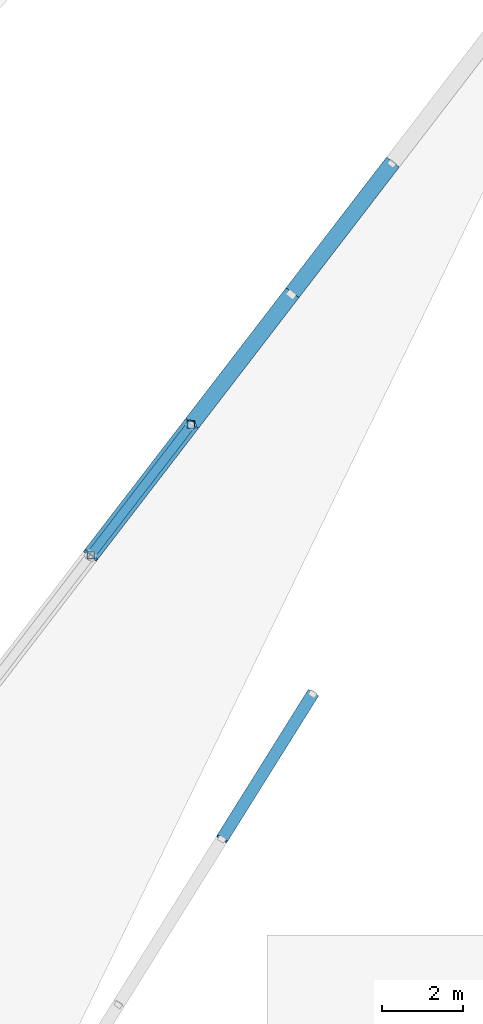
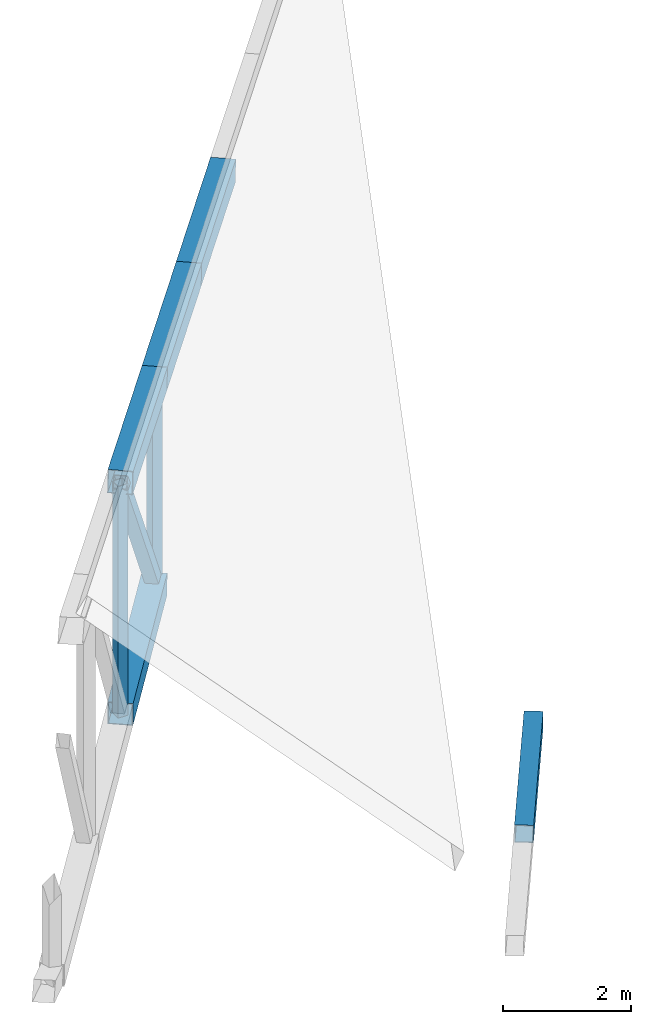
# One storey, part 7 of 188: 8 members.
"""IFC4 building model written with IfcOpenShell, lengths in metres."""

from ifc_helpers import new_model, si_unit, direction, frame, origin, origin_2d, place, context, subcontext, project, spatial, hollow_rectangle, extrude, material, material_profile, profile_set, type_object, element, save


model = new_model("IFC4")

# Units and contexts
model_context = context("Model", 3, precision=1e-05, world=origin(), true_north=direction((0.0, 1.0)))
body_context = subcontext(model_context, "Body", "Model", "MODEL_VIEW")
ifc_project = project(units=[si_unit("LENGTHUNIT", "METRE"), si_unit("AREAUNIT", "SQUARE_METRE"), si_unit("VOLUMEUNIT", "CUBIC_METRE"), si_unit("PLANEANGLEUNIT", "RADIAN"), si_unit("MASSUNIT", "GRAM", prefix="KILO")], contexts=[model_context])

# Site, building, storey
site_placement = place(None, origin())
site = spatial("IfcSite", under=ifc_project, at=site_placement, CompositionType="ELEMENT")
building_placement = place(site_placement, origin())
building = spatial("IfcBuilding", under=site, at=building_placement, Name="Meseta Stadium", CompositionType="ELEMENT")
storey_placement = place(building_placement, frame((0.0, 0.0, 30.0)))
storey = spatial("IfcBuildingStorey", under=building, at=storey_placement, Name="ROOF", CompositionType="ELEMENT", Elevation=30.0)

# Members
ifc_material_1 = material(Name="Steel S355", Category="steel")
ifc_material_profile_1 = material_profile(ifc_material_1, hollow_rectangle(XDim=0.179931640625, YDim=0.179931640625, WallThickness=0.00634765625, at=origin_2d()), Name="SHS 180x180x6.3")
ifc_profile_set_1 = profile_set([ifc_material_profile_1], Name="Steel S355")
member_type_1 = type_object("IfcMemberType", Name="SHS 180x180x6.3 post", PredefinedType="POST", material=ifc_profile_set_1)
member_1_placement = place(storey_placement, frame((-47.097900390625, -79.92236328125, 0.650634765625), z_axis=(0.0, 0.0, 1.0), x_axis=(1.0, 0.0, 0.0)))
element("IfcMember", 1, at=member_1_placement, inside=storey, type_object=member_type_1, Name="ROOF TRUSS RT-42 post", PredefinedType="POST", context=body_context, shape_type="SweptSolid", body=[
    extrude(hollow_rectangle(XDim=0.179931640625, YDim=0.179931640625, WallThickness=0.00634765625, at=origin_2d()), origin(), (0.0, 0.0, 1.0), 3.90869140625),
])
member_2_placement = place(storey_placement, frame((-49.572998046875, -83.141357421875, 0.985107421875), z_axis=(0.0, 0.0, 1.0), x_axis=(1.0, 0.0, 0.0)))
element("IfcMember", 2, at=member_2_placement, inside=storey, type_object=member_type_1, Name="ROOF TRUSS RT-42 post", PredefinedType="POST", context=body_context, shape_type="SweptSolid", body=[
    extrude(hollow_rectangle(XDim=0.179931640625, YDim=0.179931640625, WallThickness=0.00634765625, at=origin_2d()), origin(), (0.0, 0.0, 1.0), 4.410400390625),
])
ifc_material_2 = material(Name="Steel S355", Category="steel")
ifc_material_profile_2 = material_profile(ifc_material_2, hollow_rectangle(XDim=0.219970703125, YDim=0.219970703125, WallThickness=0.008056640625, at=origin_2d()), Name="SHS 220x220x8")
ifc_profile_set_2 = profile_set([ifc_material_profile_2], Name="Steel S355")
member_type_2 = type_object("IfcMemberType", Name="SHS 220x220x8 diagonal", PredefinedType="BRACE", material=ifc_profile_set_2)
member_3_placement = place(storey_placement, frame((-47.097900390625, -79.92236328125, 0.650634765625), z_axis=(-0.396323408579, -0.515439351165, 0.759769722404), x_axis=(0.792749139849, -0.609548030321, 0.0)))
element("IfcMember", 3, at=member_3_placement, inside=storey, type_object=member_type_2, Name="ROOF TRUSS RT-42 diagonal", PredefinedType="BRACE", context=body_context, shape_type="SweptSolid", body=[
    extrude(hollow_rectangle(XDim=0.219970703125, YDim=0.219970703125, WallThickness=0.008056640625, at=origin_2d()), origin(), (0.0, 0.0, 1.0), 6.2451171875),
])
ifc_material_3 = material(Name="Steel S355", Category="steel")
ifc_material_profile_3 = material_profile(ifc_material_3, hollow_rectangle(XDim=0.300048828125, YDim=0.300048828125, WallThickness=0.010009765625, at=origin_2d()), Name="SHS 300x300x10")
ifc_profile_set_3 = profile_set([ifc_material_profile_3], Name="Steel S355")
member_type_3 = type_object("IfcMemberType", Name="SHS 300x300x10 top chord", PredefinedType="CHORD", material=ifc_profile_set_3)
member_4_placement = place(storey_placement, frame((-44.09716796875, -86.551025390625, 1.01953125), z_axis=(-0.521450818859, -0.833729205304, 0.181616782636), x_axis=(0.847829126423, -0.53026952806, 0.0)))
element("IfcMember", 4, at=member_4_placement, inside=storey, type_object=member_type_3, Name="ROOF TRUSS RT-43 top chord", PredefinedType="CHORD", context=body_context, shape_type="SweptSolid", body=[
    extrude(hollow_rectangle(XDim=0.300048828125, YDim=0.300048828125, WallThickness=0.010009765625, at=origin_2d()), origin(), (0.0, 0.0, 1.0), 4.2880859375),
])
ifc_material_4 = material(Name="Steel S355", Category="steel")
ifc_material_profile_4 = material_profile(ifc_material_4, hollow_rectangle(XDim=0.39990234375, YDim=0.39990234375, WallThickness=0.010009765625, at=origin_2d()), Name="SHS 400x400x10")
ifc_profile_set_4 = profile_set([ifc_material_profile_4], Name="Steel S355")
member_type_4 = type_object("IfcMemberType", Name="SHS 400x400x10 top chord", PredefinedType="CHORD", material=ifc_profile_set_4)
for number, where, z_axis, x_axis, name in (
    (5, (-42.147705078125, -73.484375, 2.886962890625), (-0.597020682494, -0.776456667852, 0.201696176518), (0.792749139849, -0.609548030321, 0.0), "ROOF TRUSS RT-42 top chord"),
    (6, (-44.622802734375, -76.703369140625, 3.72314453125), (-0.597020682494, -0.776456667852, 0.201696176518), (0.792749139849, -0.609548030321, 0.0), "ROOF TRUSS RT-42 top chord"),
    (7, (-47.097900390625, -79.92236328125, 4.559326171875), (-0.597020682494, -0.776456667852, 0.201696176518), (0.792749139849, -0.609548030321, 0.0), "ROOF TRUSS RT-42 top chord"),
):
    element("IfcMember", number, at=place(storey_placement, frame(where, z_axis=z_axis, x_axis=x_axis)), inside=storey, type_object=member_type_4, Name=name, PredefinedType="CHORD", context=body_context, shape_type="SweptSolid", body=[
        extrude(hollow_rectangle(XDim=0.39990234375, YDim=0.39990234375, WallThickness=0.010009765625, at=origin_2d()), origin(), (0.0, 0.0, 1.0), 4.145751953125),
    ])
ifc_material_5 = material(Name="Steel S355", Category="steel")
ifc_material_profile_5 = material_profile(ifc_material_5, hollow_rectangle(XDim=0.39990234375, YDim=0.39990234375, WallThickness=0.01416015625, at=origin_2d()), Name="SHS 400x400x14.2")
ifc_profile_set_5 = profile_set([ifc_material_profile_5], Name="Steel S355")
member_type_5 = type_object("IfcMemberType", Name="SHS 400x400x14.2 bottom chord", PredefinedType="CHORD", material=ifc_profile_set_5)
member_5_placement = place(storey_placement, frame((-47.097900390625, -79.92236328125, 0.650634765625), z_axis=(-0.607490590337, -0.790073331386, 0.082093323019), x_axis=(0.792749139849, -0.609548030321, 0.0)))
element("IfcMember", 8, at=member_5_placement, inside=storey, type_object=member_type_5, Name="ROOF TRUSS RT-42 bottom chord", PredefinedType="CHORD", context=body_context, shape_type="SweptSolid", body=[
    extrude(hollow_rectangle(XDim=0.39990234375, YDim=0.39990234375, WallThickness=0.01416015625, at=origin_2d()), origin(), (0.0, 0.0, 1.0), 4.07421875),
])

save(model, "model.ifc")
